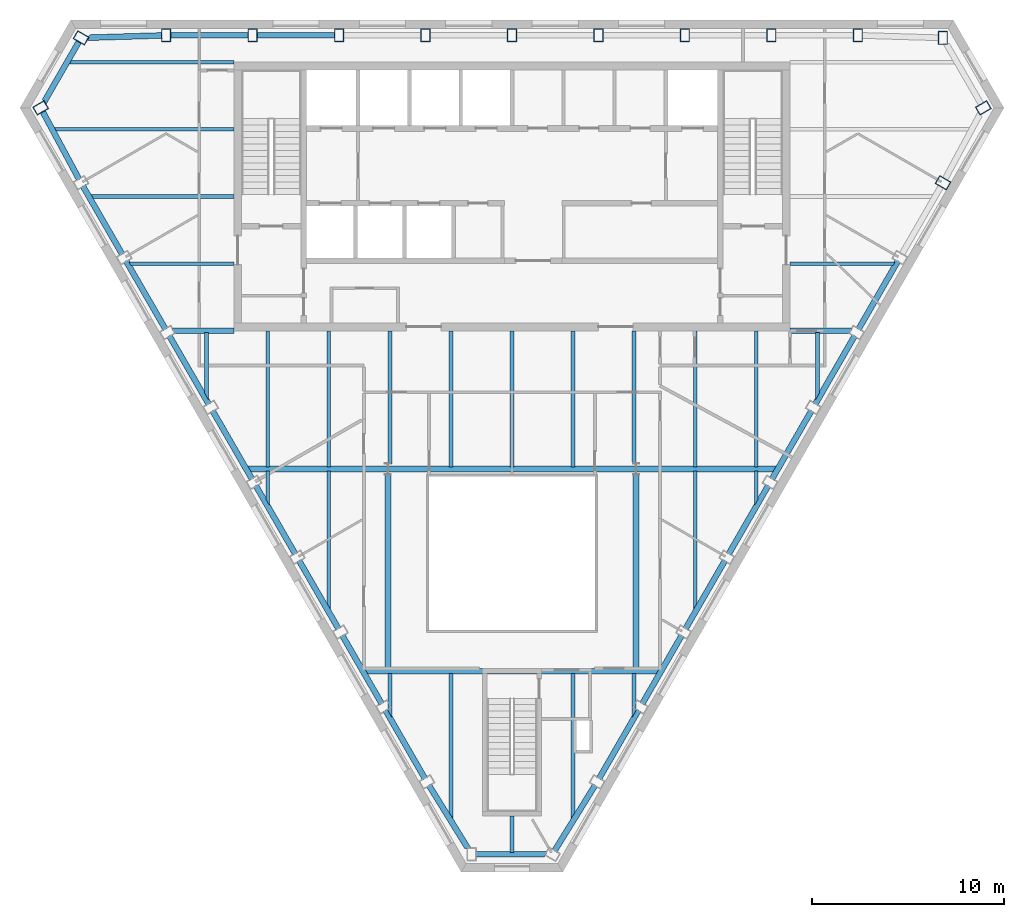
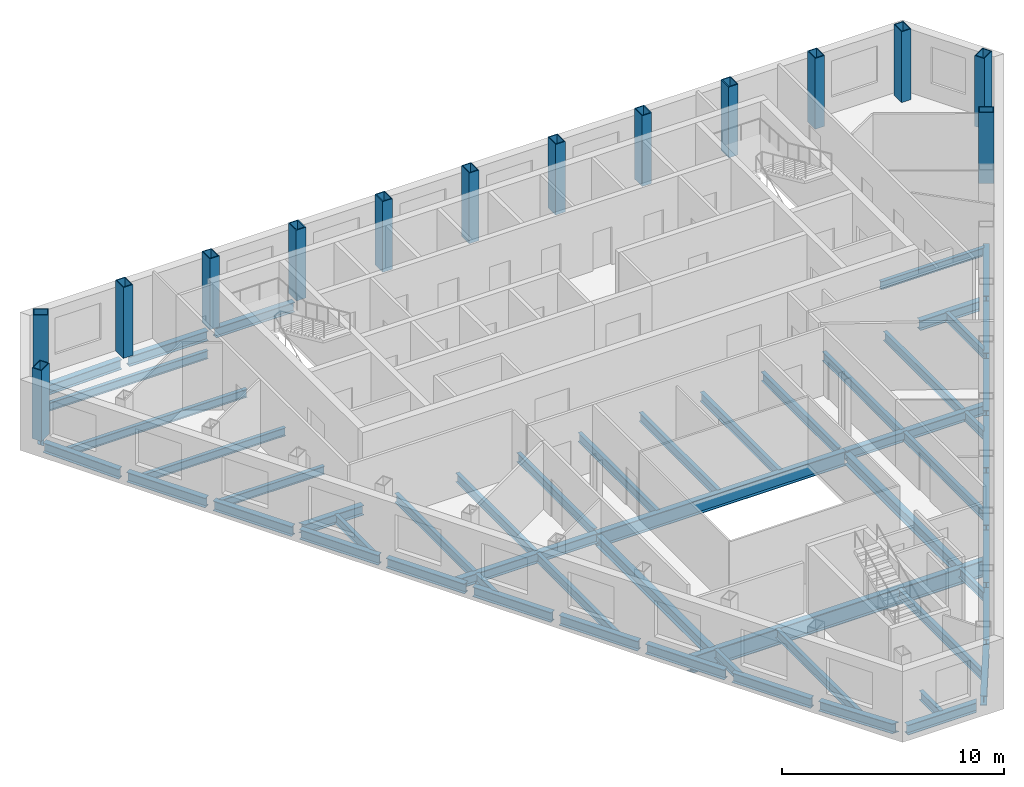
# One storey, part 2 of 10: 56 beams, 14 columns.
"""IFC4 building model written with IfcOpenShell, lengths in metres."""

from ifc_helpers import new_model, si_unit, direction, frame, origin, origin_2d, place, context, subcontext, project, spatial, hollow_rectangle, i_section, extrude, clip, halfspace, material, material_profile, profile_set, type_object, element, save


model = new_model("IFC4")

# Units and contexts
model_context = context("Model", 3, precision=1e-05, world=origin(), true_north=direction((0.0, 1.0)))
body_context = subcontext(model_context, "Body", "Model", "MODEL_VIEW")
ifc_project = project(units=[si_unit("LENGTHUNIT", "METRE"), si_unit("AREAUNIT", "SQUARE_METRE"), si_unit("VOLUMEUNIT", "CUBIC_METRE"), si_unit("PLANEANGLEUNIT", "RADIAN"), si_unit("MASSUNIT", "GRAM", prefix="KILO")], contexts=[model_context])

# Site, building, storey
site_placement = place(None, origin())
site = spatial("IfcSite", under=ifc_project, at=site_placement, CompositionType="ELEMENT")
building_placement = place(site_placement, origin())
building = spatial("IfcBuilding", under=site, at=building_placement, Name="Njiva Tower", CompositionType="ELEMENT")
storey_placement = place(building_placement, frame((0.0, 0.0, 284.4)))
storey = spatial("IfcBuildingStorey", under=building, at=storey_placement, Name="L65", CompositionType="ELEMENT", Elevation=284.4)

# Columns
ifc_material = material(Name="Steel S355 J2", Category="steel")
ifc_material_profile_1 = material_profile(ifc_material, hollow_rectangle(XDim=0.5, YDim=0.7, WallThickness=0.045, at=origin_2d()), Name="BOX 700x500x45")
ifc_profile_set_1 = profile_set([ifc_material_profile_1], Name="Steel S355 J2")
column_type = type_object("IfcColumnType", Name="C13 Perimeter tube column BOX 700x500x45", PredefinedType="COLUMN", material=ifc_profile_set_1)
for number, where, z_axis, x_axis, name in (
    (1, (22.461, 19.267, 0.0), (0.0, 0.0, 1.0), (-1.0, 0.0, 0.0), "Perimeter tube column S21-C01"),
    (2, (18.03, 19.4, 0.0), (0.0, 0.0, 1.0), (-1.0, 0.0, 0.0), "Perimeter tube column S21-C02"),
    (3, (13.523, 19.4, 0.0), (0.0, 0.0, 1.0), (-1.0, 0.0, 0.0), "Perimeter tube column S21-C03"),
    (4, (9.015, 19.4, 0.0), (0.0, 0.0, 1.0), (-1.0, 0.0, 0.0), "Perimeter tube column S21-C04"),
    (5, (4.508, 19.4, 0.0), (0.0, 0.0, 1.0), (-1.0, 0.0, 0.0), "Perimeter tube column S21-C05"),
    (6, (0.0, 19.4, 0.0), (0.0, 0.0, 1.0), (-1.0, 0.0, 0.0), "Perimeter tube column S21-C06"),
    (7, (-4.508, 19.4, 0.0), (0.0, 0.0, 1.0), (-1.0, 0.0, 0.0), "Perimeter tube column S21-C07"),
    (8, (-9.015, 19.4, 0.0), (0.0, 0.0, 1.0), (-1.0, 0.0, 0.0), "Perimeter tube column S21-C08"),
    (9, (-13.523, 19.4, 0.0), (0.0, 0.0, 1.0), (-1.0, 0.0, 0.0), "Perimeter tube column S21-C09"),
    (10, (-18.03, 19.4, 0.0), (0.0, 0.0, 1.0), (-1.0, 0.0, 0.0), "Perimeter tube column S21-C10"),
    (11, (-22.461, 19.267, 0.0), (0.0, 0.0, 1.0), (-0.5, -0.866025403784, 0.0), "Perimeter tube column S21-C11"),
    (12, (-24.568, 15.619, 0.0), (0.0, 0.0, 1.0), (0.5, -0.866025403784, 0.0), "Perimeter tube column S21-C12"),
    (13, (22.467, 11.715, 0.0), (0.0, 0.0, 1.0), (0.5, 0.866025403784, 0.0), "Perimeter tube column S21-C32"),
    (14, (24.568, 15.619, 0.0), (0.0, 0.0, 1.0), (-0.5, 0.866025403784, 0.0), "Perimeter tube column S21-C33"),
):
    element("IfcColumn", number, at=place(storey_placement, frame(where, z_axis=z_axis, x_axis=x_axis)), inside=storey, type_object=column_type, Name=name, PredefinedType="COLUMN", context=body_context, shape_type="SweptSolid", body=[
        extrude(hollow_rectangle(XDim=0.5, YDim=0.7, WallThickness=0.045, at=origin_2d()), origin(), (0.0, 0.0, 1.0), 3.9),
    ])

# Beams
ifc_material_profile_2 = material_profile(ifc_material, i_section(OverallWidth=0.3, OverallDepth=0.59, WebThickness=0.013, FlangeThickness=0.025, at=origin_2d()), Name="HEA 600")
ifc_profile_set_2 = profile_set([ifc_material_profile_2], Name="Steel S355 J2")
beam_type_1 = type_object("IfcBeamType", Name="B30 Long-span atrium trimmer beam HEA 600", PredefinedType="BEAM", material=ifc_profile_set_2)
for number, where, z_axis, x_axis, name in (
    (15, (6.47, -13.649, -0.495), (0.0, 1.0, 0.0), (-1.0, 0.0, 0.0), "Long-span atrium trimmer beam S21-B065"),
    (16, (-6.47, -3.45, -0.495), (0.0, -1.0, 0.0), (1.0, 0.0, 0.0), "Long-span atrium trimmer beam S21-B062"),
):
    element("IfcBeam", number, at=place(storey_placement, frame(where, z_axis=z_axis, x_axis=x_axis)), inside=storey, type_object=beam_type_1, Name=name, PredefinedType="BEAM", context=body_context, shape_type="SweptSolid", body=[
        extrude(i_section(OverallWidth=0.3, OverallDepth=0.59, WebThickness=0.013, FlangeThickness=0.025, at=origin_2d()), origin(), (0.0, 0.0, 1.0), 10.199),
    ])
ifc_material_profile_3 = material_profile(ifc_material, i_section(OverallWidth=0.19, OverallDepth=0.45, WebThickness=0.0094, FlangeThickness=0.0146, at=origin_2d()), Name="IPE 450")
ifc_profile_set_3 = profile_set([ifc_material_profile_3], Name="Steel S355 J2")
beam_type_2 = type_object("IfcBeamType", Name="B37 Floor beam to the core IPE 450", PredefinedType="BEAM", material=ifc_profile_set_3)
beam_1_placement = place(storey_placement, frame((-19.993, 7.5, -0.425), z_axis=(1.0, 0.0, 0.0), x_axis=(0.0, 1.0, 0.0)))
element("IfcBeam", 17, at=beam_1_placement, inside=storey, type_object=beam_type_2, Name="Floor beam to the core S21-B005", PredefinedType="BEAM", context=body_context, shape_type="Clipping", body=[
    clip(extrude(i_section(OverallWidth=0.19, OverallDepth=0.45, WebThickness=0.0094, FlangeThickness=0.0146, at=origin_2d()), origin(), (0.0, 0.0, 1.0), 5.493), halfspace(frame((-0.025, 0.0, 0.089), z_axis=(-0.499998009787, 0.0, -0.866026552831), x_axis=(0.0, -1.0, 0.0)), False)),
])
beam_2_placement = place(storey_placement, frame((14.5, 7.5, -0.425), z_axis=(1.0, 0.0, 0.0), x_axis=(0.0, 1.0, 0.0)))
element("IfcBeam", 18, at=beam_2_placement, inside=storey, type_object=beam_type_2, Name="Floor beam to the core S21-B006", PredefinedType="BEAM", context=body_context, shape_type="Clipping", body=[
    clip(extrude(i_section(OverallWidth=0.19, OverallDepth=0.45, WebThickness=0.0094, FlangeThickness=0.0146, at=origin_2d()), origin(), (0.0, 0.0, 1.0), 5.493), halfspace(frame((-0.025, 0.0, 5.404), z_axis=(-0.499998009787, 0.0, 0.866026552831), x_axis=(0.0, 1.0, 0.0)), False)),
])
beam_3_placement = place(storey_placement, frame((-22.014, 11.0, -0.425), z_axis=(1.0, 0.0, 0.0), x_axis=(0.0, 1.0, 0.0)))
element("IfcBeam", 19, at=beam_3_placement, inside=storey, type_object=beam_type_2, Name="Floor beam to the core S21-B003", PredefinedType="BEAM", context=body_context, shape_type="Clipping", body=[
    clip(extrude(i_section(OverallWidth=0.19, OverallDepth=0.45, WebThickness=0.0094, FlangeThickness=0.0146, at=origin_2d()), origin(), (0.0, 0.0, 1.0), 7.514), halfspace(frame((-0.025, 0.0, 0.0893), z_axis=(-0.499998009787, 0.0, -0.866026552831), x_axis=(0.0, -1.0, 0.0)), False)),
])
beam_4_placement = place(storey_placement, frame((-23.923, 14.5, -0.425), z_axis=(1.0, 0.0, 0.0), x_axis=(0.0, 1.0, 0.0)))
element("IfcBeam", 20, at=beam_4_placement, inside=storey, type_object=beam_type_2, Name="Floor beam to the core S21-B001", PredefinedType="BEAM", context=body_context, shape_type="Clipping", body=[
    clip(extrude(i_section(OverallWidth=0.19, OverallDepth=0.45, WebThickness=0.0094, FlangeThickness=0.0146, at=origin_2d()), origin(), (0.0, 0.0, 1.0), 9.423), halfspace(frame((-0.0237, 0.0, 0.0836), z_axis=(-0.473769423091, 0.0, -0.880648927634), x_axis=(0.0, -1.0, 0.0)), False)),
])
beam_5_placement = place(storey_placement, frame((-23.152, 18.0, -0.425), z_axis=(1.0, 0.0, 0.0), x_axis=(0.0, 1.0, 0.0)))
element("IfcBeam", 21, at=beam_5_placement, inside=storey, type_object=beam_type_2, Name="Floor beam to the core S21-B002", PredefinedType="BEAM", context=body_context, shape_type="Clipping", body=[
    clip(extrude(i_section(OverallWidth=0.19, OverallDepth=0.45, WebThickness=0.0094, FlangeThickness=0.0146, at=origin_2d()), origin(), (0.0, 0.0, 1.0), 8.652), halfspace(frame((0.025, 0.0, 0.0892), z_axis=(0.499998009787, 0.0, -0.866026552831), x_axis=(0.0, -1.0, 0.0)), False)),
])
ifc_material_profile_4 = material_profile(ifc_material, i_section(OverallWidth=0.3, OverallDepth=0.54, WebThickness=0.0125, FlangeThickness=0.024, at=origin_2d()), Name="HEA 550")
ifc_profile_set_4 = profile_set([ifc_material_profile_4], Name="Steel S355 J2")
beam_type_3 = type_object("IfcBeamType", Name="B39 Short-span spandrel beam HEA 550", PredefinedType="SPANDREL", material=ifc_profile_set_4)
beam_6_placement = place(storey_placement, frame((-9.215, 19.4, -0.47), z_axis=(-1.0, 0.0, 0.0), x_axis=(0.0, -1.0, 0.0)))
element("IfcBeam", 22, at=beam_6_placement, inside=storey, type_object=beam_type_3, Name="Short-span spandrel beam S21-B082", PredefinedType="SPANDREL", context=body_context, shape_type="SweptSolid", body=[
    extrude(i_section(OverallWidth=0.3, OverallDepth=0.54, WebThickness=0.0125, FlangeThickness=0.024, at=origin_2d()), origin(), (0.0, 0.0, 1.0), 4.108),
])
beam_7_placement = place(storey_placement, frame((-13.723, 19.4, -0.47), z_axis=(-1.0, 0.0, 0.0), x_axis=(0.0, -1.0, 0.0)))
element("IfcBeam", 23, at=beam_7_placement, inside=storey, type_object=beam_type_3, Name="Short-span spandrel beam S21-B077", PredefinedType="SPANDREL", context=body_context, shape_type="SweptSolid", body=[
    extrude(i_section(OverallWidth=0.3, OverallDepth=0.54, WebThickness=0.0125, FlangeThickness=0.024, at=origin_2d()), origin(), (0.0, 0.0, 1.0), 4.107),
])
beam_8_placement = place(storey_placement, frame((-18.234, 19.394, -0.47), z_axis=(-0.999544486246, -0.030179794811, 0.0), x_axis=(0.030179794811, -0.999544486246, 0.0)))
element("IfcBeam", 24, at=beam_8_placement, inside=storey, type_object=beam_type_3, Name="Short-span spandrel beam S21-B073", PredefinedType="SPANDREL", context=body_context, shape_type="Clipping", body=[
    clip(extrude(i_section(OverallWidth=0.3, OverallDepth=0.54, WebThickness=0.0125, FlangeThickness=0.024, at=origin_2d()), origin(), (0.0, 0.0, 1.0), 3.9898), halfspace(frame((-0.0268, 0.0, 3.86), z_axis=(-0.525906757481, 0.0, 0.850542228484), x_axis=(0.0, 1.0, 0.0)), False)),
])
beam_9_placement = place(storey_placement, frame((-22.561, 19.094, -0.47), z_axis=(-0.499864094838, -0.866103854449, 0.0), x_axis=(0.866103854449, -0.499864094838, 0.0)))
element("IfcBeam", 25, at=beam_9_placement, inside=storey, type_object=beam_type_3, Name="Short-span spandrel beam S21-B070", PredefinedType="SPANDREL", context=body_context, shape_type="Clipping", body=[
    clip(extrude(i_section(OverallWidth=0.3, OverallDepth=0.54, WebThickness=0.0125, FlangeThickness=0.024, at=origin_2d()), origin(), (0.0, 0.0, 1.0), 3.774), halfspace(frame((-0.0257, 0.0, 3.6524), z_axis=(-0.50013788288, 0.0, 0.86594578243), x_axis=(0.0, 1.0, 0.0)), False)),
])
beam_10_placement = place(storey_placement, frame((-24.471, 15.44, -0.47), z_axis=(0.47364061681, -0.880718210387, 0.0), x_axis=(0.880718210387, 0.47364061681, 0.0)))
element("IfcBeam", 26, at=beam_10_placement, inside=storey, type_object=beam_type_3, Name="Short-span spandrel beam S21-B068", PredefinedType="SPANDREL", context=body_context, shape_type="SweptSolid", body=[
    extrude(i_section(OverallWidth=0.3, OverallDepth=0.54, WebThickness=0.0125, FlangeThickness=0.024, at=origin_2d()), origin(), (0.0, 0.0, 1.0), 4.0263),
])
beam_11_placement = place(storey_placement, frame((-22.367, 11.542, -0.47), z_axis=(0.499778651271, -0.866153161822, 0.0), x_axis=(0.866153161822, 0.499778651271, 0.0)))
element("IfcBeam", 27, at=beam_11_placement, inside=storey, type_object=beam_type_3, Name="Short-span spandrel beam S21-B071", PredefinedType="SPANDREL", context=body_context, shape_type="SweptSolid", body=[
    extrude(i_section(OverallWidth=0.3, OverallDepth=0.54, WebThickness=0.0125, FlangeThickness=0.024, at=origin_2d()), origin(), (0.0, 0.0, 1.0), 4.1078),
])
beam_12_placement = place(storey_placement, frame((-20.114, 7.638, -0.47), z_axis=(0.500066662559, -0.865986912717, 0.0), x_axis=(0.865986912717, 0.500066662559, 0.0)))
element("IfcBeam", 28, at=beam_12_placement, inside=storey, type_object=beam_type_3, Name="Short-span spandrel beam S21-B074", PredefinedType="SPANDREL", context=body_context, shape_type="SweptSolid", body=[
    extrude(i_section(OverallWidth=0.3, OverallDepth=0.54, WebThickness=0.0125, FlangeThickness=0.024, at=origin_2d()), origin(), (0.0, 0.0, 1.0), 4.1075),
])
for number, where, z_axis, x_axis, name in (
    (29, (-17.86, 3.735, -0.47), (0.499961250474, -0.866047774678, 0.0), (0.866047774678, 0.499961250474, 0.0), "Short-span spandrel beam S21-B076"),
    (30, (-15.606, -0.169, -0.47), (0.499961250474, -0.866047774678, 0.0), (0.866047774678, 0.499961250474, 0.0), "Short-span spandrel beam S21-B079"),
    (31, (-13.352, -4.073, -0.47), (0.499961250474, -0.866047774678, 0.0), (0.866047774678, 0.499961250474, 0.0), "Short-span spandrel beam S21-B081"),
):
    element("IfcBeam", number, at=place(storey_placement, frame(where, z_axis=z_axis, x_axis=x_axis)), inside=storey, type_object=beam_type_3, Name=name, PredefinedType="SPANDREL", context=body_context, shape_type="SweptSolid", body=[
        extrude(i_section(OverallWidth=0.3, OverallDepth=0.54, WebThickness=0.0125, FlangeThickness=0.024, at=origin_2d()), origin(), (0.0, 0.0, 1.0), 4.1083),
    ])
beam_13_placement = place(storey_placement, frame((-11.098, -7.977, -0.47), z_axis=(0.49988405051, -0.866092336905, 0.0), x_axis=(0.866092336905, 0.49988405051, 0.0)))
element("IfcBeam", 32, at=beam_13_placement, inside=storey, type_object=beam_type_3, Name="Short-span spandrel beam S21-B084", PredefinedType="SPANDREL", context=body_context, shape_type="SweptSolid", body=[
    extrude(i_section(OverallWidth=0.3, OverallDepth=0.54, WebThickness=0.0125, FlangeThickness=0.024, at=origin_2d()), origin(), (0.0, 0.0, 1.0), 4.107),
])
for number, where, z_axis, x_axis, name in (
    (33, (-8.845, -11.88, -0.47), (0.499961250474, -0.866047774678, 0.0), (0.866047774678, 0.499961250474, 0.0), "Short-span spandrel beam S21-B086"),
    (34, (-6.591, -15.784, -0.47), (0.499961250474, -0.866047774678, 0.0), (0.866047774678, 0.499961250474, 0.0), "Short-span spandrel beam S21-B089"),
):
    element("IfcBeam", number, at=place(storey_placement, frame(where, z_axis=z_axis, x_axis=x_axis)), inside=storey, type_object=beam_type_3, Name=name, PredefinedType="SPANDREL", context=body_context, shape_type="SweptSolid", body=[
        extrude(i_section(OverallWidth=0.3, OverallDepth=0.54, WebThickness=0.0125, FlangeThickness=0.024, at=origin_2d()), origin(), (0.0, 0.0, 1.0), 4.1083),
    ])
beam_14_placement = place(storey_placement, frame((-4.33, -19.688, -0.47), z_axis=(0.525794946338, -0.850611353325, 0.0), x_axis=(0.850611353325, 0.525794946338, 0.0)))
element("IfcBeam", 35, at=beam_14_placement, inside=storey, type_object=beam_type_3, Name="Short-span spandrel beam S21-B091", PredefinedType="SPANDREL", context=body_context, shape_type="Clipping", body=[
    clip(extrude(i_section(OverallWidth=0.3, OverallDepth=0.54, WebThickness=0.0125, FlangeThickness=0.024, at=origin_2d()), origin(), (0.0, 0.0, 1.0), 3.989), halfspace(frame((-0.0262, 0.0, 3.8598), z_axis=(-0.525794946338, 0.0, 0.850611353325), x_axis=(0.0, 1.0, 0.0)), False)),
])
beam_15_placement = place(storey_placement, frame((-1.906, -23.285, -0.47), z_axis=(1.0, 0.0, 0.0), x_axis=(0.0, 1.0, 0.0)))
element("IfcBeam", 36, at=beam_15_placement, inside=storey, type_object=beam_type_3, Name="Short-span spandrel beam S21-B095", PredefinedType="SPANDREL", context=body_context, shape_type="Clipping", body=[
    clip(extrude(i_section(OverallWidth=0.3, OverallDepth=0.54, WebThickness=0.0125, FlangeThickness=0.024, at=origin_2d()), origin(), (0.0, 0.0, 1.0), 3.772), halfspace(frame((-0.0253, 0.0, 3.651), z_axis=(-0.499998009787, 0.0, 0.866026552831), x_axis=(0.0, 1.0, 0.0)), False)),
])
beam_16_placement = place(storey_placement, frame((2.214, -23.112, -0.47), z_axis=(0.525704437341, 0.850667293694, 0.0), x_axis=(-0.850667293694, 0.525704437341, 0.0)))
element("IfcBeam", 37, at=beam_16_placement, inside=storey, type_object=beam_type_3, Name="Short-span spandrel beam S21-B098", PredefinedType="SPANDREL", context=body_context, shape_type="SweptSolid", body=[
    extrude(i_section(OverallWidth=0.3, OverallDepth=0.54, WebThickness=0.0125, FlangeThickness=0.024, at=origin_2d()), origin(), (0.0, 0.0, 1.0), 4.0251),
])
for number, where, z_axis, x_axis, name in (
    (38, (4.537, -19.342, -0.47), (0.499961250474, 0.866047774678, 0.0), (-0.866047774678, 0.499961250474, 0.0), "Short-span spandrel beam S21-B100"),
    (39, (6.791, -15.438, -0.47), (0.499961250474, 0.866047774678, 0.0), (-0.866047774678, 0.499961250474, 0.0), "Short-span spandrel beam S21-B103"),
):
    element("IfcBeam", number, at=place(storey_placement, frame(where, z_axis=z_axis, x_axis=x_axis)), inside=storey, type_object=beam_type_3, Name=name, PredefinedType="SPANDREL", context=body_context, shape_type="SweptSolid", body=[
        extrude(i_section(OverallWidth=0.3, OverallDepth=0.54, WebThickness=0.0125, FlangeThickness=0.024, at=origin_2d()), origin(), (0.0, 0.0, 1.0), 4.1083),
    ])
beam_17_placement = place(storey_placement, frame((9.045, -11.534, -0.47), z_axis=(0.49988405051, 0.866092336905, 0.0), x_axis=(-0.866092336905, 0.49988405051, 0.0)))
element("IfcBeam", 40, at=beam_17_placement, inside=storey, type_object=beam_type_3, Name="Short-span spandrel beam S21-B105", PredefinedType="SPANDREL", context=body_context, shape_type="SweptSolid", body=[
    extrude(i_section(OverallWidth=0.3, OverallDepth=0.54, WebThickness=0.0125, FlangeThickness=0.024, at=origin_2d()), origin(), (0.0, 0.0, 1.0), 4.107),
])
for number, where, z_axis, x_axis, name in (
    (41, (11.298, -7.631, -0.47), (0.499961250474, 0.866047774678, 0.0), (-0.866047774678, 0.499961250474, 0.0), "Short-span spandrel beam S21-B108"),
    (42, (13.552, -3.727, -0.47), (0.499961250474, 0.866047774678, 0.0), (-0.866047774678, 0.499961250474, 0.0), "Short-span spandrel beam S21-B110"),
    (43, (15.806, 0.177, -0.47), (0.499961250474, 0.866047774678, 0.0), (-0.866047774678, 0.499961250474, 0.0), "Short-span spandrel beam S21-B113"),
):
    element("IfcBeam", number, at=place(storey_placement, frame(where, z_axis=z_axis, x_axis=x_axis)), inside=storey, type_object=beam_type_3, Name=name, PredefinedType="SPANDREL", context=body_context, shape_type="SweptSolid", body=[
        extrude(i_section(OverallWidth=0.3, OverallDepth=0.54, WebThickness=0.0125, FlangeThickness=0.024, at=origin_2d()), origin(), (0.0, 0.0, 1.0), 4.1083),
    ])
beam_18_placement = place(storey_placement, frame((18.06, 4.081, -0.47), z_axis=(0.500066662559, 0.865986912717, 0.0), x_axis=(-0.865986912717, 0.500066662559, 0.0)))
element("IfcBeam", 44, at=beam_18_placement, inside=storey, type_object=beam_type_3, Name="Short-span spandrel beam S21-B115", PredefinedType="SPANDREL", context=body_context, shape_type="SweptSolid", body=[
    extrude(i_section(OverallWidth=0.3, OverallDepth=0.54, WebThickness=0.0125, FlangeThickness=0.024, at=origin_2d()), origin(), (0.0, 0.0, 1.0), 4.1075),
])
ifc_material_profile_5 = material_profile(ifc_material, i_section(OverallWidth=0.3, OverallDepth=0.54, WebThickness=0.0125, FlangeThickness=0.024, at=origin_2d()), Name="HEA 550")
ifc_profile_set_5 = profile_set([ifc_material_profile_5], Name="Steel S355 J2")
beam_type_4 = type_object("IfcBeamType", Name="B40 Floor girder HEA 550", PredefinedType="BEAM", material=ifc_profile_set_5)
beam_19_placement = place(storey_placement, frame((-13.848, -3.2, -0.47), z_axis=(1.0, 0.0, 0.0), x_axis=(0.0, 1.0, 0.0)))
element("IfcBeam", 45, at=beam_19_placement, inside=storey, type_object=beam_type_4, Name="Floor girder S21-B013", PredefinedType="BEAM", context=body_context, shape_type="Clipping", body=[
    clip(extrude(i_section(OverallWidth=0.3, OverallDepth=0.54, WebThickness=0.0125, FlangeThickness=0.024, at=origin_2d()), origin(), (0.0, 0.0, 1.0), 7.378), halfspace(frame((-0.025, 0.0, 0.1217), z_axis=(-0.499998009787, 0.0, -0.866026552831), x_axis=(0.0, -1.0, 0.0)), False)),
])
beam_20_placement = place(storey_placement, frame((6.47, -3.2, -0.47), z_axis=(1.0, 0.0, 0.0), x_axis=(0.0, 1.0, 0.0)))
element("IfcBeam", 46, at=beam_20_placement, inside=storey, type_object=beam_type_4, Name="Floor girder S21-B014", PredefinedType="BEAM", context=body_context, shape_type="Clipping", body=[
    clip(extrude(i_section(OverallWidth=0.3, OverallDepth=0.54, WebThickness=0.0125, FlangeThickness=0.024, at=origin_2d()), origin(), (0.0, 0.0, 1.0), 7.378), halfspace(frame((-0.025, 0.0, 7.2563), z_axis=(-0.499998009787, 0.0, 0.866026552831), x_axis=(0.0, 1.0, 0.0)), False)),
])
ifc_material_profile_6 = material_profile(ifc_material, i_section(OverallWidth=0.3, OverallDepth=0.54, WebThickness=0.0125, FlangeThickness=0.024, at=origin_2d()), Name="HEA 550")
ifc_profile_set_6 = profile_set([ifc_material_profile_6], Name="Steel S355 J2")
beam_type_5 = type_object("IfcBeamType", Name="B41 Short-span floor girder HEA 550", PredefinedType="BEAM", material=ifc_profile_set_6)
beam_21_placement = place(storey_placement, frame((-17.774, 4.0, -0.47), z_axis=(1.0, 0.0, 0.0), x_axis=(0.0, 1.0, 0.0)))
element("IfcBeam", 47, at=beam_21_placement, inside=storey, type_object=beam_type_5, Name="Short-span floor girder S21-B012", PredefinedType="BEAM", context=body_context, shape_type="Clipping", body=[
    clip(extrude(i_section(OverallWidth=0.3, OverallDepth=0.54, WebThickness=0.0125, FlangeThickness=0.024, at=origin_2d()), origin(), (0.0, 0.0, 1.0), 3.274), halfspace(frame((-0.025, 0.0, 0.1217), z_axis=(-0.499998009787, 0.0, -0.866026552831), x_axis=(0.0, -1.0, 0.0)), False)),
])
beam_22_placement = place(storey_placement, frame((14.5, 4.0, -0.47), z_axis=(1.0, 0.0, 0.0), x_axis=(0.0, 1.0, 0.0)))
element("IfcBeam", 48, at=beam_22_placement, inside=storey, type_object=beam_type_5, Name="Short-span floor girder S21-B015", PredefinedType="BEAM", context=body_context, shape_type="Clipping", body=[
    clip(extrude(i_section(OverallWidth=0.3, OverallDepth=0.54, WebThickness=0.0125, FlangeThickness=0.024, at=origin_2d()), origin(), (0.0, 0.0, 1.0), 3.274), halfspace(frame((-0.025, 0.0, 3.1523), z_axis=(-0.499998009787, 0.0, 0.866026552831), x_axis=(0.0, 1.0, 0.0)), False)),
])
ifc_material_profile_7 = material_profile(ifc_material, i_section(OverallWidth=0.2, OverallDepth=0.5, WebThickness=0.0102, FlangeThickness=0.016, at=origin_2d()), Name="IPE 500")
ifc_profile_set_7 = profile_set([ifc_material_profile_7], Name="Steel S355 J2")
beam_type_6 = type_object("IfcBeamType", Name="B42 Short-span floor joist IPE 500", PredefinedType="JOIST", material=ifc_profile_set_7)
beam_23_placement = place(storey_placement, frame((-15.917, 3.9, -0.45), z_axis=(0.0, -1.0, 0.0), x_axis=(1.0, 0.0, 0.0)))
element("IfcBeam", 49, at=beam_23_placement, inside=storey, type_object=beam_type_6, Name="Short-span floor joist S21-B041", PredefinedType="JOIST", context=body_context, shape_type="Clipping", body=[
    clip(extrude(i_section(OverallWidth=0.2, OverallDepth=0.5, WebThickness=0.0102, FlangeThickness=0.016, at=origin_2d()), origin(), (0.0, 0.0, 1.0), 3.524), halfspace(frame((-0.043, 0.0, 3.2562), z_axis=(-0.866026552831, 0.0, 0.499998009787), x_axis=(0.0, 1.0, 0.0)), False)),
])
beam_24_placement = place(storey_placement, frame((-12.733, -3.3, -0.45), z_axis=(0.0, -1.0, 0.0), x_axis=(1.0, 0.0, 0.0)))
element("IfcBeam", 50, at=beam_24_placement, inside=storey, type_object=beam_type_6, Name="Short-span floor joist S21-B042", PredefinedType="JOIST", context=body_context, shape_type="Clipping", body=[
    clip(extrude(i_section(OverallWidth=0.2, OverallDepth=0.5, WebThickness=0.0102, FlangeThickness=0.016, at=origin_2d()), origin(), (0.0, 0.0, 1.0), 1.838), halfspace(frame((-0.0436, 0.0, 1.5699), z_axis=(-0.866026552831, 0.0, 0.499998009787), x_axis=(0.0, 1.0, 0.0)), False)),
])
beam_25_placement = place(storey_placement, frame((-6.367, -13.851, -0.45), z_axis=(0.0, -1.0, 0.0), x_axis=(1.0, 0.0, 0.0)))
element("IfcBeam", 51, at=beam_25_placement, inside=storey, type_object=beam_type_6, Name="Short-span floor joist S21-B046", PredefinedType="JOIST", context=body_context, shape_type="Clipping", body=[
    clip(extrude(i_section(OverallWidth=0.2, OverallDepth=0.5, WebThickness=0.0102, FlangeThickness=0.016, at=origin_2d()), origin(), (0.0, 0.0, 1.0), 2.314), halfspace(frame((-0.043, 0.0, 2.0463), z_axis=(-0.866026552831, 0.0, 0.499998009787), x_axis=(0.0, 1.0, 0.0)), False)),
])
beam_26_placement = place(storey_placement, frame((0.0, -21.3, -0.45), z_axis=(0.0, -1.0, 0.0), x_axis=(1.0, 0.0, 0.0)))
element("IfcBeam", 52, at=beam_26_placement, inside=storey, type_object=beam_type_6, Name="Short-span floor joist S21-B050", PredefinedType="JOIST", context=body_context, shape_type="SweptSolid", body=[
    extrude(i_section(OverallWidth=0.2, OverallDepth=0.5, WebThickness=0.0102, FlangeThickness=0.016, at=origin_2d()), origin(), (0.0, 0.0, 1.0), 1.885),
])
beam_27_placement = place(storey_placement, frame((6.367, -13.851, -0.45), z_axis=(0.0, -1.0, 0.0), x_axis=(1.0, 0.0, 0.0)))
element("IfcBeam", 53, at=beam_27_placement, inside=storey, type_object=beam_type_6, Name="Short-span floor joist S21-B054", PredefinedType="JOIST", context=body_context, shape_type="Clipping", body=[
    clip(extrude(i_section(OverallWidth=0.2, OverallDepth=0.5, WebThickness=0.0102, FlangeThickness=0.016, at=origin_2d()), origin(), (0.0, 0.0, 1.0), 2.314), halfspace(frame((0.043, 0.0, 2.0463), z_axis=(0.866026552831, 0.0, 0.499998009787), x_axis=(0.0, 1.0, 0.0)), False)),
])
beam_28_placement = place(storey_placement, frame((12.733, -3.3, -0.45), z_axis=(0.0, -1.0, 0.0), x_axis=(1.0, 0.0, 0.0)))
element("IfcBeam", 54, at=beam_28_placement, inside=storey, type_object=beam_type_6, Name="Short-span floor joist S21-B058", PredefinedType="JOIST", context=body_context, shape_type="Clipping", body=[
    clip(extrude(i_section(OverallWidth=0.2, OverallDepth=0.5, WebThickness=0.0102, FlangeThickness=0.016, at=origin_2d()), origin(), (0.0, 0.0, 1.0), 1.838), halfspace(frame((0.0436, 0.0, 1.5699), z_axis=(0.866026552831, 0.0, 0.499998009787), x_axis=(0.0, 1.0, 0.0)), False)),
])
beam_29_placement = place(storey_placement, frame((15.917, 3.9, -0.45), z_axis=(0.0, -1.0, 0.0), x_axis=(1.0, 0.0, 0.0)))
element("IfcBeam", 55, at=beam_29_placement, inside=storey, type_object=beam_type_6, Name="Short-span floor joist S21-B060", PredefinedType="JOIST", context=body_context, shape_type="Clipping", body=[
    clip(extrude(i_section(OverallWidth=0.2, OverallDepth=0.5, WebThickness=0.0102, FlangeThickness=0.016, at=origin_2d()), origin(), (0.0, 0.0, 1.0), 3.524), halfspace(frame((0.043, 0.0, 3.2562), z_axis=(0.866026552831, 0.0, 0.499998009787), x_axis=(0.0, 1.0, 0.0)), False)),
])
ifc_material_profile_8 = material_profile(ifc_material, i_section(OverallWidth=0.2, OverallDepth=0.5, WebThickness=0.0102, FlangeThickness=0.016, at=origin_2d()), Name="IPE 500")
ifc_profile_set_8 = profile_set([ifc_material_profile_8], Name="Steel S355 J2")
beam_type_7 = type_object("IfcBeamType", Name="B43 Floor joist IPE 500", PredefinedType="JOIST", material=ifc_profile_set_8)
for number, where, z_axis, x_axis, name in (
    (56, (-12.733, 3.995, -0.45), (0.0, -1.0, 0.0), (1.0, 0.0, 0.0), "Floor joist S21-B043"),
    (57, (-9.55, 3.995, -0.45), (0.0, -1.0, 0.0), (1.0, 0.0, 0.0), "Floor joist S21-B045"),
):
    element("IfcBeam", number, at=place(storey_placement, frame(where, z_axis=z_axis, x_axis=x_axis)), inside=storey, type_object=beam_type_7, Name=name, PredefinedType="JOIST", context=body_context, shape_type="SweptSolid", body=[
        extrude(i_section(OverallWidth=0.2, OverallDepth=0.5, WebThickness=0.0102, FlangeThickness=0.016, at=origin_2d()), origin(), (0.0, 0.0, 1.0), 7.095),
    ])
beam_30_placement = place(storey_placement, frame((-9.55, -3.3, -0.45), z_axis=(0.0, -1.0, 0.0), x_axis=(1.0, 0.0, 0.0)))
element("IfcBeam", 58, at=beam_30_placement, inside=storey, type_object=beam_type_7, Name="Floor joist S21-B044", PredefinedType="JOIST", context=body_context, shape_type="Clipping", body=[
    clip(extrude(i_section(OverallWidth=0.2, OverallDepth=0.5, WebThickness=0.0102, FlangeThickness=0.016, at=origin_2d()), origin(), (0.0, 0.0, 1.0), 7.352), halfspace(frame((-0.0433, 0.0, 7.0836), z_axis=(-0.866026552831, 0.0, 0.499998009787), x_axis=(0.0, 1.0, 0.0)), False)),
])
beam_31_placement = place(storey_placement, frame((-6.367, 3.995, -0.45), z_axis=(0.0, -1.0, 0.0), x_axis=(1.0, 0.0, 0.0)))
element("IfcBeam", 59, at=beam_31_placement, inside=storey, type_object=beam_type_7, Name="Floor joist S21-B047", PredefinedType="JOIST", context=body_context, shape_type="SweptSolid", body=[
    extrude(i_section(OverallWidth=0.2, OverallDepth=0.5, WebThickness=0.0102, FlangeThickness=0.016, at=origin_2d()), origin(), (0.0, 0.0, 1.0), 6.945),
])
beam_32_placement = place(storey_placement, frame((-3.183, 3.995, -0.45), z_axis=(0.0, -1.0, 0.0), x_axis=(1.0, 0.0, 0.0)))
element("IfcBeam", 60, at=beam_32_placement, inside=storey, type_object=beam_type_7, Name="Floor joist S21-B049", PredefinedType="JOIST", context=body_context, shape_type="SweptSolid", body=[
    extrude(i_section(OverallWidth=0.2, OverallDepth=0.5, WebThickness=0.0102, FlangeThickness=0.016, at=origin_2d()), origin(), (0.0, 0.0, 1.0), 7.095),
])
beam_33_placement = place(storey_placement, frame((-3.183, -13.851, -0.45), z_axis=(0.0, -1.0, 0.0), x_axis=(1.0, 0.0, 0.0)))
element("IfcBeam", 61, at=beam_33_placement, inside=storey, type_object=beam_type_7, Name="Floor joist S21-B048", PredefinedType="JOIST", context=body_context, shape_type="Clipping", body=[
    clip(extrude(i_section(OverallWidth=0.2, OverallDepth=0.5, WebThickness=0.0102, FlangeThickness=0.016, at=origin_2d()), origin(), (0.0, 0.0, 1.0), 7.684), halfspace(frame((-0.0429, 0.0, 7.4328), z_axis=(-0.850620428373, 0.0, 0.525780264783), x_axis=(0.0, 1.0, 0.0)), False)),
])
for number, where, z_axis, x_axis, name in (
    (62, (0.0, 3.995, -0.45), (0.0, -1.0, 0.0), (1.0, 0.0, 0.0), "Floor joist S21-B051"),
    (63, (3.183, 3.995, -0.45), (0.0, -1.0, 0.0), (1.0, 0.0, 0.0), "Floor joist S21-B053"),
):
    element("IfcBeam", number, at=place(storey_placement, frame(where, z_axis=z_axis, x_axis=x_axis)), inside=storey, type_object=beam_type_7, Name=name, PredefinedType="JOIST", context=body_context, shape_type="SweptSolid", body=[
        extrude(i_section(OverallWidth=0.2, OverallDepth=0.5, WebThickness=0.0102, FlangeThickness=0.016, at=origin_2d()), origin(), (0.0, 0.0, 1.0), 7.095),
    ])
beam_34_placement = place(storey_placement, frame((3.183, -13.851, -0.45), z_axis=(0.0, -1.0, 0.0), x_axis=(1.0, 0.0, 0.0)))
element("IfcBeam", 64, at=beam_34_placement, inside=storey, type_object=beam_type_7, Name="Floor joist S21-B052", PredefinedType="JOIST", context=body_context, shape_type="Clipping", body=[
    clip(extrude(i_section(OverallWidth=0.2, OverallDepth=0.5, WebThickness=0.0102, FlangeThickness=0.016, at=origin_2d()), origin(), (0.0, 0.0, 1.0), 7.684), halfspace(frame((0.0429, 0.0, 7.4328), z_axis=(0.850620428373, 0.0, 0.525780264783), x_axis=(0.0, 1.0, 0.0)), False)),
])
beam_35_placement = place(storey_placement, frame((6.367, 3.995, -0.45), z_axis=(0.0, -1.0, 0.0), x_axis=(1.0, 0.0, 0.0)))
element("IfcBeam", 65, at=beam_35_placement, inside=storey, type_object=beam_type_7, Name="Floor joist S21-B055", PredefinedType="JOIST", context=body_context, shape_type="SweptSolid", body=[
    extrude(i_section(OverallWidth=0.2, OverallDepth=0.5, WebThickness=0.0102, FlangeThickness=0.016, at=origin_2d()), origin(), (0.0, 0.0, 1.0), 6.945),
])
beam_36_placement = place(storey_placement, frame((9.55, 3.995, -0.45), z_axis=(0.0, -1.0, 0.0), x_axis=(1.0, 0.0, 0.0)))
element("IfcBeam", 66, at=beam_36_placement, inside=storey, type_object=beam_type_7, Name="Floor joist S21-B057", PredefinedType="JOIST", context=body_context, shape_type="SweptSolid", body=[
    extrude(i_section(OverallWidth=0.2, OverallDepth=0.5, WebThickness=0.0102, FlangeThickness=0.016, at=origin_2d()), origin(), (0.0, 0.0, 1.0), 7.095),
])
beam_37_placement = place(storey_placement, frame((9.55, -3.3, -0.45), z_axis=(0.0, -1.0, 0.0), x_axis=(1.0, 0.0, 0.0)))
element("IfcBeam", 67, at=beam_37_placement, inside=storey, type_object=beam_type_7, Name="Floor joist S21-B056", PredefinedType="JOIST", context=body_context, shape_type="Clipping", body=[
    clip(extrude(i_section(OverallWidth=0.2, OverallDepth=0.5, WebThickness=0.0102, FlangeThickness=0.016, at=origin_2d()), origin(), (0.0, 0.0, 1.0), 7.352), halfspace(frame((0.0433, 0.0, 7.0836), z_axis=(0.866026552831, 0.0, 0.499998009787), x_axis=(0.0, 1.0, 0.0)), False)),
])
beam_38_placement = place(storey_placement, frame((12.733, 3.995, -0.45), z_axis=(0.0, -1.0, 0.0), x_axis=(1.0, 0.0, 0.0)))
element("IfcBeam", 68, at=beam_38_placement, inside=storey, type_object=beam_type_7, Name="Floor joist S21-B059", PredefinedType="JOIST", context=body_context, shape_type="SweptSolid", body=[
    extrude(i_section(OverallWidth=0.2, OverallDepth=0.5, WebThickness=0.0102, FlangeThickness=0.016, at=origin_2d()), origin(), (0.0, 0.0, 1.0), 7.095),
])
ifc_material_profile_9 = material_profile(ifc_material, i_section(OverallWidth=0.302, OverallDepth=0.91, WebThickness=0.021, FlangeThickness=0.04, at=origin_2d()), Name="HEM 900")
ifc_profile_set_9 = profile_set([ifc_material_profile_9], Name="Steel S355 J2")
beam_type_8 = type_object("IfcBeamType", Name="B8 Long-span atrium trimmer beam HEM 900", PredefinedType="BEAM", material=ifc_profile_set_9)
beam_39_placement = place(storey_placement, frame((-7.757, -13.75, -0.655), z_axis=(1.0, 0.0, 0.0), x_axis=(0.0, 1.0, 0.0)))
element("IfcBeam", 69, at=beam_39_placement, inside=storey, type_object=beam_type_8, Name="Long-span atrium trimmer beam S21-B061", PredefinedType="BEAM", context=body_context, shape_type="Clipping", body=[
    clip(clip(extrude(i_section(OverallWidth=0.302, OverallDepth=0.91, WebThickness=0.021, FlangeThickness=0.04, at=origin_2d()), origin(), (0.0, 0.0, 1.0), 15.514), halfspace(frame((-0.025, 0.0, 0.1217), z_axis=(-0.499998009787, 0.0, -0.866026552831), x_axis=(0.0, -1.0, 0.0)), False)), halfspace(frame((-0.025, 0.0, 15.3923), z_axis=(-0.499998009787, 0.0, 0.866026552831), x_axis=(0.0, 1.0, 0.0)), False)),
])
ifc_material_profile_10 = material_profile(ifc_material, i_section(OverallWidth=0.3, OverallDepth=0.79, WebThickness=0.015, FlangeThickness=0.028, at=origin_2d()), Name="HEA 800")
ifc_profile_set_10 = profile_set([ifc_material_profile_10], Name="Steel S355 J2")
beam_type_9 = type_object("IfcBeamType", Name="B9 Long-span atrium trimmer beam HEA 800", PredefinedType="BEAM", material=ifc_profile_set_10)
beam_40_placement = place(storey_placement, frame((6.47, -3.2, -0.595), z_axis=(-1.0, 0.0, 0.0), x_axis=(0.0, -1.0, 0.0)))
element("IfcBeam", 70, at=beam_40_placement, inside=storey, type_object=beam_type_9, Name="Long-span atrium trimmer beam S21-B064", PredefinedType="BEAM", context=body_context, shape_type="SweptSolid", body=[
    extrude(i_section(OverallWidth=0.3, OverallDepth=0.79, WebThickness=0.015, FlangeThickness=0.028, at=origin_2d()), origin(), (0.0, 0.0, 1.0), 12.94),
])

save(model, "model.ifc")
